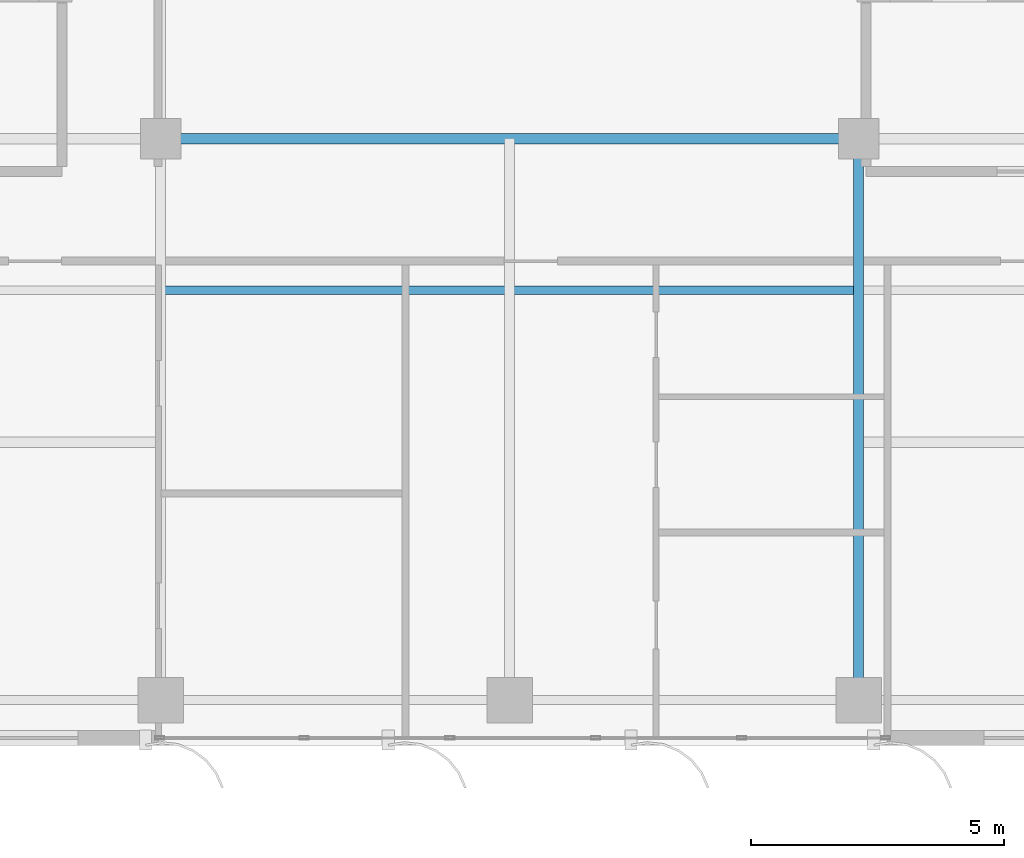
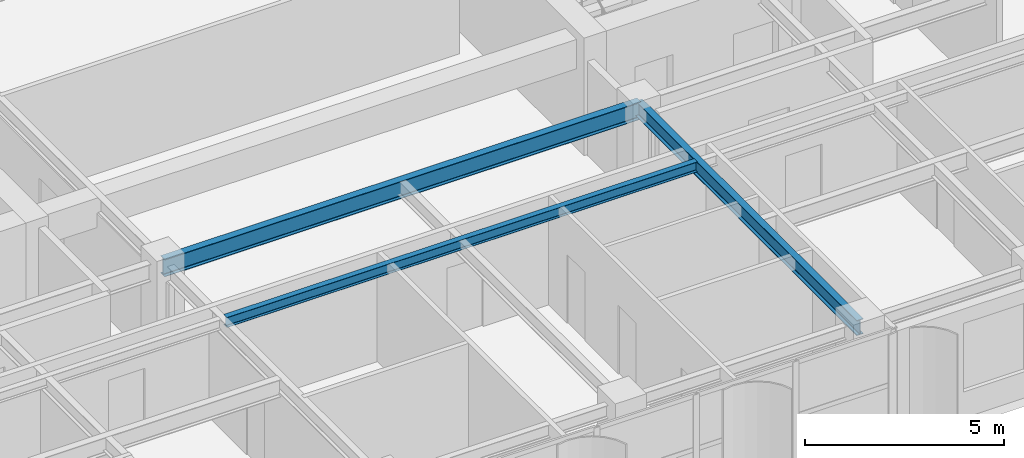
# One storey, part 6 of 25: 3 beams.
"""IFC4 building model written with IfcOpenShell, lengths in metres."""

from ifc_helpers import new_model, si_unit, direction, frame, origin, origin_2d, place, context, subcontext, project, spatial, i_section, extrude, source, transform, mapped, material, material_profile, profile_set, type_object, element, save


model = new_model("IFC4")

# Units and contexts
model_context = context("Model", 3, precision=1e-05, world=origin(), true_north=direction((0.0, 1.0)))
body_context = subcontext(model_context, "Body", "Model", "MODEL_VIEW")
ifc_project = project(units=[si_unit("LENGTHUNIT", "METRE"), si_unit("AREAUNIT", "SQUARE_METRE"), si_unit("VOLUMEUNIT", "CUBIC_METRE"), si_unit("PLANEANGLEUNIT", "RADIAN"), si_unit("MASSUNIT", "GRAM", prefix="KILO")], contexts=[model_context])

# Site, building, storey
site_placement = place(None, origin())
site = spatial("IfcSite", under=ifc_project, at=site_placement, CompositionType="ELEMENT")
building_placement = place(site_placement, origin())
building = spatial("IfcBuilding", under=site, at=building_placement, Name="Khoralis Quay Care Tower", CompositionType="ELEMENT")
storey_placement = place(building_placement, frame((0.0, 0.0, 166.5)))
storey = spatial("IfcBuildingStorey", under=building, at=storey_placement, Name="L43", CompositionType="ELEMENT", Elevation=166.5)

# Beams
ifc_material = material(Name="Steel S355", Category="steel")
ifc_material_profile_1 = material_profile(ifc_material, i_section(OverallWidth=0.208984375, OverallDepth=0.532958984375, WebThickness=0.01025390625, FlangeThickness=0.015625, FilletRadius=0.01611328125, at=origin_2d()), Name="Steel S355")
ifc_profile_set_1 = profile_set([ifc_material_profile_1], Name="Steel S355")
beam_type_1 = type_object("IfcBeamType", Name="BM-W530X92", PredefinedType="BEAM", material=ifc_profile_set_1)
shared_shape_1 = source(origin(), body_context, "Body", "SweptSolid", [
    extrude(i_section(OverallWidth=0.208984375, OverallDepth=0.532958984375, WebThickness=0.01025390625, FlangeThickness=0.015625, FilletRadius=0.01611328125, at=origin_2d()), origin(), (0.0, 0.0, 1.0), 13.7998046875),
])
beam_1_placement = place(storey_placement, frame((17.10009765625, 12.0, 3.073486328125), z_axis=(1.0, 0.0, 0.0), x_axis=(0.0, 1.0, 0.0)))
element("IfcBeam", 1, at=beam_1_placement, inside=storey, type_object=beam_type_1, Name="BM-TGCC-L43-120", PredefinedType="BEAM", context=body_context, shape_type="MappedRepresentation", body=[
    mapped(shared_shape_1, transform((0.0, 0.0, 0.0), scale=1.0)),
])
ifc_material_profile_2 = material_profile(ifc_material, i_section(OverallWidth=0.19189453125, OverallDepth=0.462890625, WebThickness=0.010498046875, FlangeThickness=0.017578125, FilletRadius=0.014892578125, at=origin_2d()), Name="Steel S355")
ifc_profile_set_2 = profile_set([ifc_material_profile_2], Name="Steel S355")
beam_type_2 = type_object("IfcBeamType", Name="BM-W460X89", PredefinedType="BEAM", material=ifc_profile_set_2)
shared_shape_2 = source(origin(), body_context, "Body", "SweptSolid", [
    extrude(i_section(OverallWidth=0.19189453125, OverallDepth=0.462890625, WebThickness=0.010498046875, FlangeThickness=0.017578125, FilletRadius=0.014892578125, at=origin_2d()), origin(), (0.0, 0.0, 1.0), 11.10009765625),
])
beam_2_placement = place(storey_placement, frame((30.89990234375, 0.89990234375, 3.1083984375), z_axis=(0.0, 1.0, 0.0), x_axis=(-1.0, 0.0, 0.0)))
element("IfcBeam", 2, at=beam_2_placement, inside=storey, type_object=beam_type_2, Name="BM-TGYS-L43-309", PredefinedType="BEAM", context=body_context, shape_type="MappedRepresentation", body=[
    mapped(shared_shape_2, transform((0.0, 0.0, 0.0), scale=1.0)),
])
ifc_material_profile_3 = material_profile(ifc_material, i_section(OverallWidth=0.1650390625, OverallDepth=0.31005859375, WebThickness=0.005859375, FlangeThickness=0.009765625, FilletRadius=0.011962890625, at=origin_2d()), Name="Steel S355")
ifc_profile_set_3 = profile_set([ifc_material_profile_3], Name="Steel S355")
beam_type_3 = type_object("IfcBeamType", Name="BM-W310X39", PredefinedType="JOIST", material=ifc_profile_set_3)
shared_shape_3 = source(origin(), body_context, "Body", "SweptSolid", [
    extrude(i_section(OverallWidth=0.1650390625, OverallDepth=0.31005859375, WebThickness=0.005859375, FlangeThickness=0.009765625, FilletRadius=0.011962890625, at=origin_2d()), origin(), (0.0, 0.0, 1.0), 13.6318359375),
])
beam_3_placement = place(storey_placement, frame((17.18408203125, 9.0, 3.18505859375), z_axis=(1.0, 0.0, 0.0), x_axis=(0.0, 1.0, 0.0)))
element("IfcBeam", 3, at=beam_3_placement, inside=storey, type_object=beam_type_3, Name="BM-TJS-L43-25", PredefinedType="JOIST", context=body_context, shape_type="MappedRepresentation", body=[
    mapped(shared_shape_3, transform((0.0, 0.0, 0.0), scale=1.0)),
])

save(model, "model.ifc")
